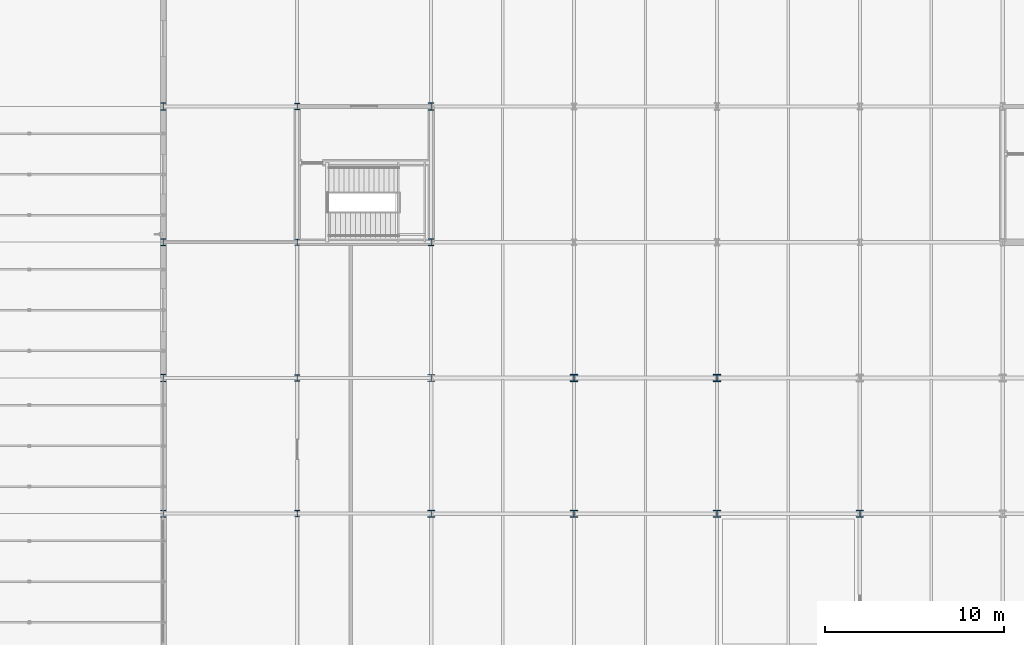
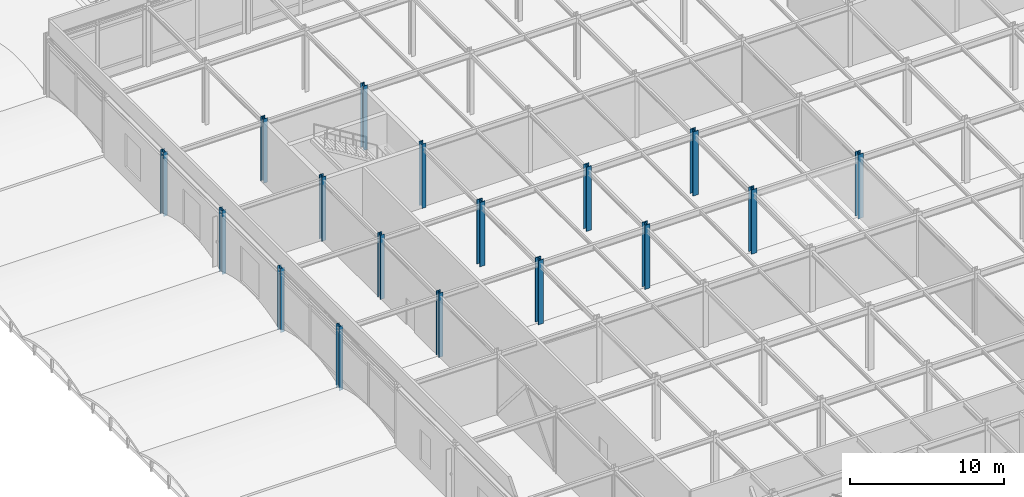
# One storey, part 3 of 79: 17 columns.
"""IFC4 building model written with IfcOpenShell, lengths in metres."""

from ifc_helpers import new_model, si_unit, direction, frame, origin, origin_2d, place, context, subcontext, project, spatial, i_section, extrude, material, material_profile, profile_set, type_object, element, save


model = new_model("IFC4")

# Units and contexts
model_context = context("Model", 3, precision=1e-05, world=origin(), true_north=direction((0.0, 1.0)))
body_context = subcontext(model_context, "Body", "Model", "MODEL_VIEW")
ifc_project = project(units=[si_unit("LENGTHUNIT", "METRE"), si_unit("AREAUNIT", "SQUARE_METRE"), si_unit("VOLUMEUNIT", "CUBIC_METRE"), si_unit("PLANEANGLEUNIT", "RADIAN"), si_unit("MASSUNIT", "GRAM", prefix="KILO")], contexts=[model_context])

# Site, building, storey
site_placement = place(None, origin())
site = spatial("IfcSite", under=ifc_project, at=site_placement, CompositionType="ELEMENT")
building_placement = place(site_placement, origin())
building = spatial("IfcBuilding", under=site, at=building_placement, Name="Shalkamar Park Central Library", CompositionType="ELEMENT")
storey_placement = place(building_placement, frame((0.0, 0.0, 10.5)))
storey = spatial("IfcBuildingStorey", under=building, at=storey_placement, Name="L03", CompositionType="ELEMENT", Elevation=10.5)

# Columns
ifc_material = material(Name="Steel S355", Category="steel")
ifc_material_profile_1 = material_profile(ifc_material, i_section(OverallWidth=0.40087890625, OverallDepth=0.39892578125, WebThickness=0.02490234375, FlangeThickness=0.03955078125, FilletRadius=0.014892578125, at=origin_2d()), Name="HD 400x314")
ifc_profile_set_1 = profile_set([ifc_material_profile_1], Name="Steel S355")
column_type_1 = type_object("IfcColumnType", Name="Column Steel HD400x314", PredefinedType="COLUMN", material=ifc_profile_set_1)
for number, where, z_axis, x_axis, name in (
    (1, (173.0, 285.60009765625, 0.0), (0.0, 0.0, 1.0), (1.0, 0.0, 0.0), "Column 08/G (L03)"),
    (2, (173.0, 293.199951171875, 0.0), (0.0, 0.0, 1.0), (1.0, 0.0, 0.0), "Column 08/H (L03)"),
    (3, (181.0, 285.60009765625, 0.0), (0.0, 0.0, 1.0), (1.0, 0.0, 0.0), "Column 09/G (L03)"),
    (4, (181.0, 293.199951171875, 0.0), (0.0, 0.0, 1.0), (1.0, 0.0, 0.0), "Column 09/H (L03)"),
    (5, (189.0, 285.60009765625, 0.0), (0.0, 0.0, 1.0), (1.0, 0.0, 0.0), "Column 10/G (L03)"),
):
    element("IfcColumn", number, at=place(storey_placement, frame(where, z_axis=z_axis, x_axis=x_axis)), inside=storey, type_object=column_type_1, Name=name, PredefinedType="COLUMN", context=body_context, shape_type="SweptSolid", body=[
        extrude(i_section(OverallWidth=0.40087890625, OverallDepth=0.39892578125, WebThickness=0.02490234375, FlangeThickness=0.03955078125, FilletRadius=0.014892578125, at=origin_2d()), origin(), (0.0, 0.0, 1.0), 5.10009765625),
    ])
ifc_material_profile_2 = material_profile(ifc_material, i_section(OverallWidth=0.406005859375, OverallDepth=0.416015625, WebThickness=0.02978515625, FlangeThickness=0.048095703125, FilletRadius=0.014892578125, at=origin_2d()), Name="HD 400x382")
ifc_profile_set_2 = profile_set([ifc_material_profile_2], Name="Steel S355")
column_type_2 = type_object("IfcColumnType", Name="Column Steel HD400x382", PredefinedType="COLUMN", material=ifc_profile_set_2)
for number, where, z_axis, x_axis, name in (
    (6, (165.0, 285.60009765625, 0.0), (0.0, 0.0, 1.0), (1.0, 0.0, 0.0), "Column 07/G (L03)"),
    (7, (165.0, 293.199951171875, 0.0), (0.0, 0.0, 1.0), (1.0, 0.0, 0.0), "Column 07/H (L03)"),
):
    element("IfcColumn", number, at=place(storey_placement, frame(where, z_axis=z_axis, x_axis=x_axis)), inside=storey, type_object=column_type_2, Name=name, PredefinedType="COLUMN", context=body_context, shape_type="SweptSolid", body=[
        extrude(i_section(OverallWidth=0.406005859375, OverallDepth=0.416015625, WebThickness=0.02978515625, FlangeThickness=0.048095703125, FilletRadius=0.014892578125, at=origin_2d()), origin(), (0.0, 0.0, 1.0), 5.10009765625),
    ])
ifc_material_profile_3 = material_profile(ifc_material, i_section(OverallWidth=0.300048828125, OverallDepth=0.360107421875, WebThickness=0.012451171875, FlangeThickness=0.0224609375, FilletRadius=0.027099609375, at=origin_2d()), Name="HEB 360")
ifc_profile_set_3 = profile_set([ifc_material_profile_3], Name="Steel S355")
column_type_3 = type_object("IfcColumnType", Name="Column Steel HEB360", PredefinedType="COLUMN", material=ifc_profile_set_3)
for number, where, z_axis, x_axis, name in (
    (8, (157.5, 285.60009765625, 0.0), (0.0, 0.0, 1.0), (1.0, 0.0, 0.0), "Column 06/G (L03)"),
    (9, (157.5, 293.199951171875, 0.0), (0.0, 0.0, 1.0), (1.0, 0.0, 0.0), "Column 06/H (L03)"),
    (10, (157.5, 300.800048828125, 0.0), (0.0, 0.0, 1.0), (1.0, 0.0, 0.0), "Column 06/J (L03)"),
    (11, (157.5, 308.39990234375, 0.0), (0.0, 0.0, 1.0), (1.0, 0.0, 0.0), "Column 06/K (L03)"),
):
    element("IfcColumn", number, at=place(storey_placement, frame(where, z_axis=z_axis, x_axis=x_axis)), inside=storey, type_object=column_type_3, Name=name, PredefinedType="COLUMN", context=body_context, shape_type="SweptSolid", body=[
        extrude(i_section(OverallWidth=0.300048828125, OverallDepth=0.360107421875, WebThickness=0.012451171875, FlangeThickness=0.0224609375, FilletRadius=0.027099609375, at=origin_2d()), origin(), (0.0, 0.0, 1.0), 5.10009765625),
    ])
ifc_material_profile_4 = material_profile(ifc_material, i_section(OverallWidth=0.300048828125, OverallDepth=0.39990234375, WebThickness=0.013427734375, FlangeThickness=0.02392578125, FilletRadius=0.027099609375, at=origin_2d()), Name="HEB 400")
ifc_profile_set_4 = profile_set([ifc_material_profile_4], Name="Steel S355")
column_type_4 = type_object("IfcColumnType", Name="Column Steel HEB400", PredefinedType="COLUMN", material=ifc_profile_set_4)
for number, where, z_axis, x_axis, name in (
    (12, (150.0, 285.60009765625, 0.0), (0.0, 0.0, 1.0), (1.0, 0.0, 0.0), "Column 05/G (L03)"),
    (13, (150.0, 293.199951171875, 0.0), (0.0, 0.0, 1.0), (1.0, 0.0, 0.0), "Column 05/H (L03)"),
    (14, (150.0, 300.800048828125, 0.0), (0.0, 0.0, 1.0), (1.0, 0.0, 0.0), "Column 05/J (L03)"),
    (15, (150.0, 308.39990234375, 0.0), (0.0, 0.0, 1.0), (1.0, 0.0, 0.0), "Column 05/K (L03)"),
    (16, (165.0, 300.800048828125, 0.0), (0.0, 0.0, 1.0), (1.0, 0.0, 0.0), "Column 07/J (L03)"),
    (17, (165.0, 308.39990234375, 0.0), (0.0, 0.0, 1.0), (1.0, 0.0, 0.0), "Column 07/K (L03)"),
):
    element("IfcColumn", number, at=place(storey_placement, frame(where, z_axis=z_axis, x_axis=x_axis)), inside=storey, type_object=column_type_4, Name=name, PredefinedType="COLUMN", context=body_context, shape_type="SweptSolid", body=[
        extrude(i_section(OverallWidth=0.300048828125, OverallDepth=0.39990234375, WebThickness=0.013427734375, FlangeThickness=0.02392578125, FilletRadius=0.027099609375, at=origin_2d()), origin(), (0.0, 0.0, 1.0), 5.10009765625),
    ])

save(model, "model.ifc")
